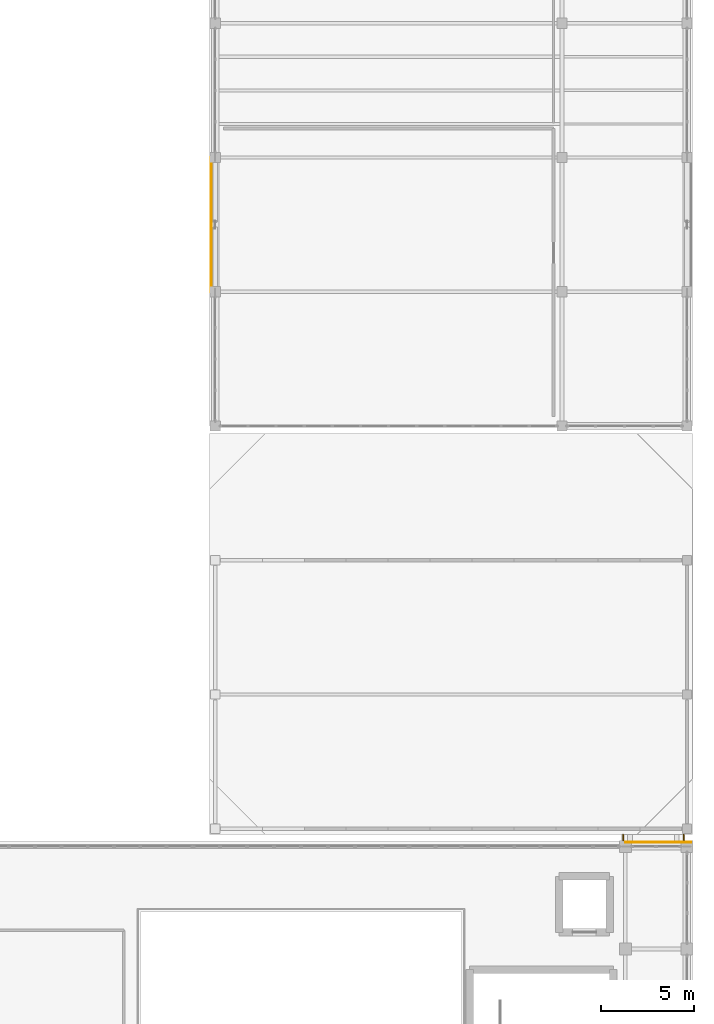
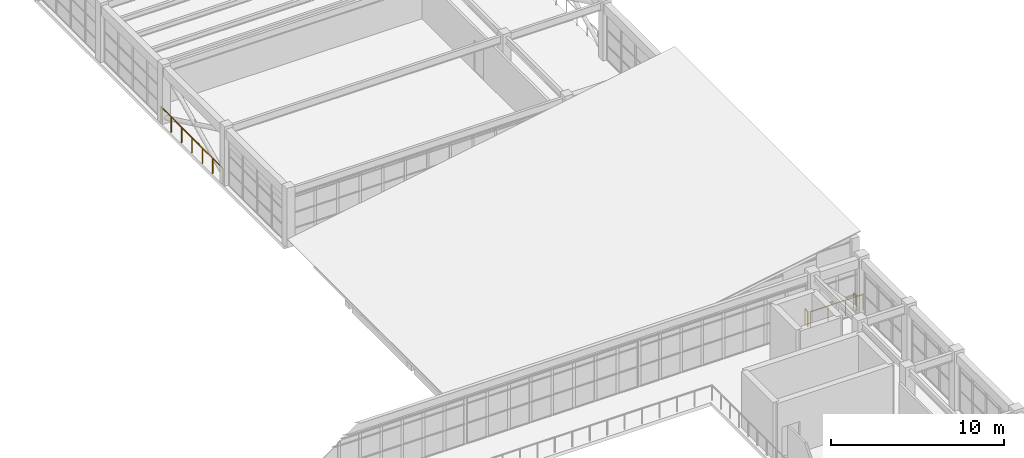
# One storey, part 65 of 66: 4 railings.
"""IFC4 building model written with IfcOpenShell, lengths in metres."""

from ifc_helpers import new_model, si_unit, direction, frame, origin, origin_2d, place, context, subcontext, project, spatial, circle, extrude, material, type_object, element, save


model = new_model("IFC4")

# Units and contexts
model_context = context("Model", 3, precision=1e-05, world=origin(), true_north=direction((0.0, 1.0)))
body_context = subcontext(model_context, "Body", "Model", "MODEL_VIEW")
ifc_project = project(units=[si_unit("LENGTHUNIT", "METRE"), si_unit("AREAUNIT", "SQUARE_METRE"), si_unit("VOLUMEUNIT", "CUBIC_METRE"), si_unit("PLANEANGLEUNIT", "RADIAN"), si_unit("MASSUNIT", "GRAM", prefix="KILO")], contexts=[model_context])

# Site, building, storey
site_placement = place(None, origin())
site = spatial("IfcSite", under=ifc_project, at=site_placement, CompositionType="ELEMENT")
building_placement = place(site_placement, origin())
building = spatial("IfcBuilding", under=site, at=building_placement, Name="Candilejo Ridge Gondola Terminal", CompositionType="ELEMENT")
storey_placement = place(building_placement, frame((0.0, 0.0, 14.39990234375)))
storey = spatial("IfcBuildingStorey", under=building, at=storey_placement, Name="L03", CompositionType="ELEMENT", Elevation=14.39990234375)

# Railings
ifc_material = material(Name="Hot-dip galvanised steel ASTM A500 Grade B", Category="steel")
railing_type = type_object("IfcRailingType", Name="ARC-GUARD-GLASS-1150", PredefinedType="GUARDRAIL", material=ifc_material)
for number, where, name in (
    (1, (171.8798828125, 48.02001953125, 0.0), "Link bridge guard LB-SJ4-L03-W"),
    (2, (175.1201171875, 48.02001953125, 0.0), "Link bridge guard LB-SJ4-L03-E"),
):
    element("IfcRailing", number, at=place(storey_placement, frame(where)), inside=storey, type_object=railing_type, Name=name, PredefinedType="GUARDRAIL", context=body_context, shape_type="SweptSolid", body=[
        extrude(circle(Radius=0.02392578125, at=origin_2d()), frame((0.0, 0.0, 1.076171875), z_axis=(0.0, 1.0, 0.0), x_axis=(-1.0, 0.0, 0.0)), (0.0, 0.0, 1.0), 0.31005859375),
        extrude(circle(Radius=0.02099609375, at=origin_2d()), origin(), (0.0, 0.0, 1.0), 1.052001953125),
        extrude(circle(Radius=0.02099609375, at=origin_2d()), frame((0.0, 0.31005859375, 0.0)), (0.0, 0.0, 1.0), 1.052001953125),
    ])
railing_1_placement = place(storey_placement, frame((172.0, 47.919921875, 0.0)))
element("IfcRailing", 3, at=railing_1_placement, inside=storey, type_object=railing_type, Name="Deck edge guard GR-V4-L03-OBSNE", PredefinedType="GUARDRAIL", context=body_context, shape_type="SweptSolid", body=[
    extrude(circle(Radius=0.02392578125, at=origin_2d()), frame((0.0, 0.0, 1.076171875), z_axis=(1.0, 0.0, 0.0), x_axis=(0.0, 1.0, 0.0)), (0.0, 0.0, 1.0), 3.52001953125),
    extrude(circle(Radius=0.02099609375, at=origin_2d()), origin(), (0.0, 0.0, 1.0), 1.052001953125),
    extrude(circle(Radius=0.02099609375, at=origin_2d()), frame((1.17333984375, 0.0, 0.0)), (0.0, 0.0, 1.0), 1.052001953125),
    extrude(circle(Radius=0.02099609375, at=origin_2d()), frame((2.3466796875, 0.0, 0.0)), (0.0, 0.0, 1.0), 1.052001953125),
    extrude(circle(Radius=0.02099609375, at=origin_2d()), frame((3.52001953125, 0.0, 0.0)), (0.0, 0.0, 1.0), 1.052001953125),
])
railing_2_placement = place(storey_placement, frame((149.780029296875, 77.449951171875, 0.0)))
element("IfcRailing", 4, at=railing_2_placement, inside=storey, type_object=railing_type, Name="Deck edge guard GR-V5-L03-BRW", PredefinedType="GUARDRAIL", context=body_context, shape_type="SweptSolid", body=[
    extrude(circle(Radius=0.02392578125, at=origin_2d()), frame((0.0, 0.0, 1.076171875), z_axis=(0.0, 1.0, 0.0), x_axis=(-1.0, 0.0, 0.0)), (0.0, 0.0, 1.0), 7.199951171875),
    extrude(circle(Radius=0.02099609375, at=origin_2d()), origin(), (0.0, 0.0, 1.0), 1.052001953125),
    extrude(circle(Radius=0.02099609375, at=origin_2d()), frame((0.0, 1.199951171875, 0.0)), (0.0, 0.0, 1.0), 1.052001953125),
    extrude(circle(Radius=0.02099609375, at=origin_2d()), frame((0.0, 2.39990234375, 0.0)), (0.0, 0.0, 1.0), 1.052001953125),
    extrude(circle(Radius=0.02099609375, at=origin_2d()), frame((0.0, 3.60009765625, 0.0)), (0.0, 0.0, 1.0), 1.052001953125),
    extrude(circle(Radius=0.02099609375, at=origin_2d()), frame((0.0, 4.800048828125, 0.0)), (0.0, 0.0, 1.0), 1.052001953125),
    extrude(circle(Radius=0.02099609375, at=origin_2d()), frame((0.0, 6.0, 0.0)), (0.0, 0.0, 1.0), 1.052001953125),
    extrude(circle(Radius=0.02099609375, at=origin_2d()), frame((0.0, 7.199951171875, 0.0)), (0.0, 0.0, 1.0), 1.052001953125),
])

save(model, "model.ifc")
